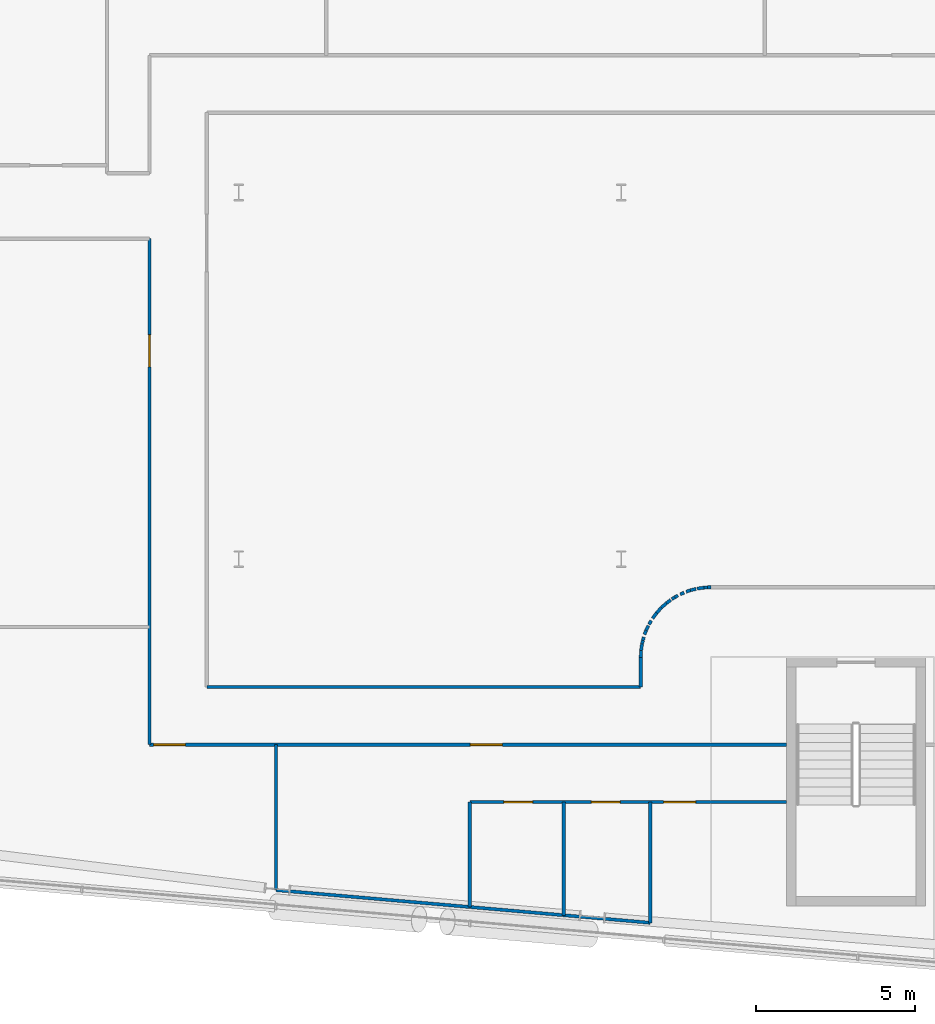
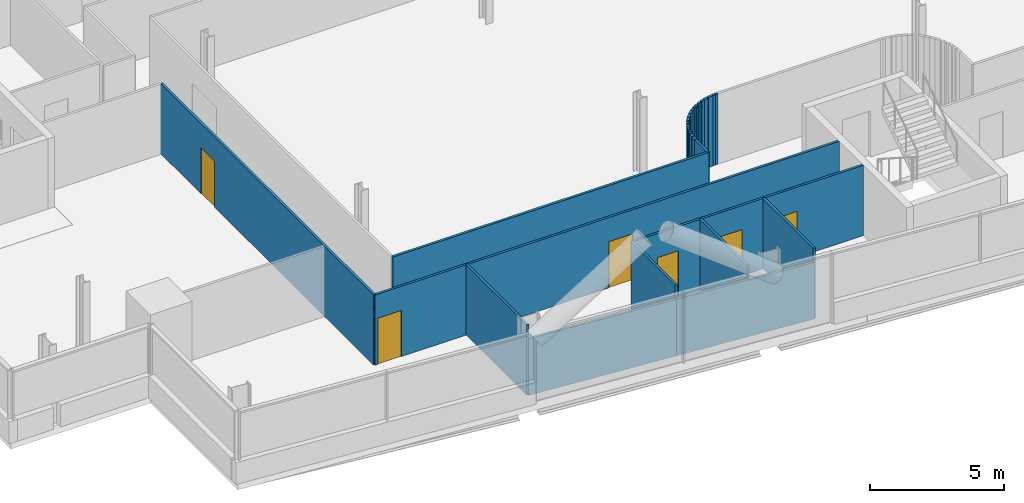
# One storey, part 14 of 30: 30 walls, 6 doors, 6 openings.
"""IFC4 building model written with IfcOpenShell, lengths in metres."""

from ifc_helpers import new_model, si_unit, direction, frame, frame_2d, origin, place, context, subcontext, project, spatial, rectangle, extrude, material, layer, layer_set, type_object, element, fill, save


model = new_model("IFC4")

# Units and contexts
model_context = context("Model", 3, precision=1e-05, world=origin(), true_north=direction((0.0, 1.0)))
body_context = subcontext(model_context, "Body", "Model", "MODEL_VIEW")
ifc_project = project(units=[si_unit("LENGTHUNIT", "METRE"), si_unit("AREAUNIT", "SQUARE_METRE"), si_unit("VOLUMEUNIT", "CUBIC_METRE"), si_unit("PLANEANGLEUNIT", "RADIAN"), si_unit("MASSUNIT", "GRAM", prefix="KILO")], contexts=[model_context])

# Site, building, storey
site_placement = place(None, origin())
site = spatial("IfcSite", under=ifc_project, at=site_placement, CompositionType="ELEMENT")
building_placement = place(site_placement, origin())
building = spatial("IfcBuilding", under=site, at=building_placement, Name="Wharfspan Tower", CompositionType="ELEMENT")
storey_placement = place(building_placement, frame((0.0, 0.0, 100.300049)))
storey = spatial("IfcBuildingStorey", under=building, at=storey_placement, Name="L22", CompositionType="ELEMENT", Elevation=100.300049)

# Wall, opening, door
ifc_material_1 = material(Name="Gypsum board on steel studs", Category="steel")
ifc_layer_1 = layer(ifc_material_1, 0.100098)
ifc_layer_set_1 = layer_set([ifc_layer_1], Name="Gypsum board on steel studs")
wall_type_1 = type_object("IfcWallType", Name="Compartment wall 100 EI 60", PredefinedType="PARTITIONING", material=ifc_layer_set_1)
wall_1_placement = place(storey_placement, frame((21.199951, 5.679932, 0.0), z_axis=(0.0, 0.0, 1.0), x_axis=(0.0, 1.0, 0.0)))
wall_1 = element("IfcWall", 1, at=wall_1_placement, inside=storey, type_object=wall_type_1, Name="Partition L22.w010", PredefinedType="PARTITIONING", context=body_context, shape_type="SweptSolid", body=[
    extrude(rectangle(XDim=15.870117, YDim=0.100098, at=frame_2d((7.935059, 0.0))), origin(), (0.0, 0.0, 1.0), 3.199951),
])
opening_1_placement = place(wall_1_placement, frame((11.850098, 0.0, 0.0)))
opening_1 = element("IfcOpeningElement", 2, at=opening_1_placement, cuts=wall_1, Name="Opening B2-11", PredefinedType="OPENING", context=body_context, shape_type="SweptSolid", body=[
    extrude(rectangle(XDim=1.0, YDim=2.100098, at=frame_2d((0.5, 1.050049))), frame((0.0, 0.060059, 0.0), z_axis=(0.0, -1.0, 0.0), x_axis=(1.0, 0.0, 0.0)), (0.0, 0.0, 1.0), 0.120117),
])
ifc_material_2 = material(Name="Fire-rated timber door leaf in steel frame", Category="steel")
door_type_1 = type_object("IfcDoorType", Name="Door 1000 FD30S Right", OperationType="SINGLE_SWING_RIGHT", PredefinedType="DOOR", material=ifc_material_2)
door_1_placement = place(opening_1_placement, origin())
door_1 = element("IfcDoor", 3, at=door_1_placement, inside=storey, type_object=door_type_1, Name="Door B2-11", OperationType="SINGLE_SWING_RIGHT", OverallHeight=2.100098, OverallWidth=1.0, PredefinedType="DOOR", context=body_context, shape_type="SweptSolid", body=[
    extrude(rectangle(XDim=1.0, YDim=2.100098, at=frame_2d((0.5, 1.050049))), frame((0.0, 0.024902, 0.0), z_axis=(0.0, -1.0, 0.0), x_axis=(1.0, 0.0, 0.0)), (0.0, 0.0, 1.0), 0.050049),
])
fill(opening_1, door_1)

# Wall, openings, doors
wall_2_placement = place(storey_placement, frame((21.199951, 5.679932, 0.0), z_axis=(0.0, 0.0, 1.0), x_axis=(1.0, 0.0, 0.0)))
wall_2 = element("IfcWall", 4, at=wall_2_placement, inside=storey, type_object=wall_type_1, Name="Partition L22.w011", PredefinedType="PARTITIONING", context=body_context, shape_type="SweptSolid", body=[
    extrude(rectangle(XDim=19.985352, YDim=0.100098, at=frame_2d((9.992676, 0.0))), origin(), (0.0, 0.0, 1.0), 3.199951),
])
opening_2_placement = place(wall_2_placement, frame((0.129883, 0.0, 0.0)))
opening_2 = element("IfcOpeningElement", 5, at=opening_2_placement, cuts=wall_2, Name="Opening B2-04", PredefinedType="OPENING", context=body_context, shape_type="SweptSolid", body=[
    extrude(rectangle(XDim=1.0, YDim=2.100098, at=frame_2d((0.5, 1.050049))), frame((0.0, 0.060059, 0.0), z_axis=(0.0, -1.0, 0.0), x_axis=(1.0, 0.0, 0.0)), (0.0, 0.0, 1.0), 0.120117),
])
opening_3_placement = place(wall_2_placement, frame((10.070068, 0.0, 0.0)))
opening_3 = element("IfcOpeningElement", 6, at=opening_3_placement, cuts=wall_2, Name="Opening B2-05", PredefinedType="OPENING", context=body_context, shape_type="SweptSolid", body=[
    extrude(rectangle(XDim=1.0, YDim=2.100098, at=frame_2d((0.5, 1.050049))), frame((0.0, 0.060059, 0.0), z_axis=(0.0, -1.0, 0.0), x_axis=(1.0, 0.0, 0.0)), (0.0, 0.0, 1.0), 0.120117),
])
door_type_2 = type_object("IfcDoorType", Name="Door 1000 FD30S Left", OperationType="SINGLE_SWING_LEFT", PredefinedType="DOOR", material=ifc_material_2)
door_2_placement = place(opening_2_placement, origin())
door_2 = element("IfcDoor", 7, at=door_2_placement, inside=storey, type_object=door_type_2, Name="Door B2-04", OperationType="SINGLE_SWING_LEFT", OverallHeight=2.100098, OverallWidth=1.0, PredefinedType="DOOR", context=body_context, shape_type="SweptSolid", body=[
    extrude(rectangle(XDim=1.0, YDim=2.100098, at=frame_2d((0.5, 1.050049))), frame((0.0, 0.024902, 0.0), z_axis=(0.0, -1.0, 0.0), x_axis=(1.0, 0.0, 0.0)), (0.0, 0.0, 1.0), 0.050049),
])
fill(opening_2, door_2)
door_3_placement = place(opening_3_placement, origin())
door_3 = element("IfcDoor", 8, at=door_3_placement, inside=storey, type_object=door_type_1, Name="Door B2-05", OperationType="SINGLE_SWING_RIGHT", OverallHeight=2.100098, OverallWidth=1.0, PredefinedType="DOOR", context=body_context, shape_type="SweptSolid", body=[
    extrude(rectangle(XDim=1.0, YDim=2.100098, at=frame_2d((0.5, 1.050049))), frame((0.0, 0.024902, 0.0), z_axis=(0.0, -1.0, 0.0), x_axis=(1.0, 0.0, 0.0)), (0.0, 0.0, 1.0), 0.050049),
])
fill(opening_3, door_3)

# Walls
wall_3_placement = place(storey_placement, frame((23.0, 7.485107, 0.0), z_axis=(0.0, 0.0, 1.0), x_axis=(1.0, 0.0, 0.0)))
element("IfcWall", 9, at=wall_3_placement, inside=storey, type_object=wall_type_1, Name="Partition L22.w015", PredefinedType="PARTITIONING", context=body_context, shape_type="SweptSolid", body=[
    extrude(rectangle(XDim=13.610107, YDim=0.100098, at=frame_2d((6.805176, 0.0))), origin(), (0.0, 0.0, 1.0), 3.199951),
])
wall_4_placement = place(storey_placement, frame((25.169922, 1.120117, 0.0), z_axis=(0.0, 0.0, 1.0), x_axis=(0.0, 1.0, 0.0)))
element("IfcWall", 10, at=wall_4_placement, inside=storey, type_object=wall_type_1, Name="Partition L22.w017", PredefinedType="PARTITIONING", context=body_context, shape_type="SweptSolid", body=[
    extrude(rectangle(XDim=4.559814, YDim=0.100098, at=frame_2d((2.279785, 0.0))), origin(), (0.0, 0.0, 1.0), 3.199951),
])
wall_5_placement = place(storey_placement, frame((36.610107, 7.485107, 0.0), z_axis=(0.0, 0.0, 1.0), x_axis=(0.0, 1.0, 0.0)))
element("IfcWall", 11, at=wall_5_placement, inside=storey, type_object=wall_type_1, Name="Partition L22.w024", PredefinedType="PARTITIONING", context=body_context, shape_type="SweptSolid", body=[
    extrude(rectangle(XDim=0.929932, YDim=0.100098, at=frame_2d((0.464844, 0.0))), origin(), (0.0, 0.0, 1.0), 3.199951),
])
wall_6_placement = place(storey_placement, frame((36.610107, 8.415039, 0.0), z_axis=(0.0, 0.0, 1.0), x_axis=(0.045458, 0.998967, 0.0)))
element("IfcWall", 12, at=wall_6_placement, inside=storey, type_object=wall_type_1, Name="Partition L22.w025", PredefinedType="PARTITIONING", context=body_context, shape_type="SweptSolid", body=[
    extrude(rectangle(XDim=0.220215, YDim=0.100098, at=frame_2d((0.110107, 0.0))), origin(), (0.0, 0.0, 1.0), 3.199951),
])
wall_7_placement = place(storey_placement, frame((36.620117, 8.63501, 0.0), z_axis=(0.0, 0.0, 1.0), x_axis=(0.140454, 0.990086, 0.0)))
element("IfcWall", 13, at=wall_7_placement, inside=storey, type_object=wall_type_1, Name="Partition L22.w026", PredefinedType="PARTITIONING", context=body_context, shape_type="SweptSolid", body=[
    extrude(rectangle(XDim=0.212158, YDim=0.100098, at=frame_2d((0.105957, 0.0))), origin(), (0.0, 0.0, 1.0), 3.199951),
])
wall_8_placement = place(storey_placement, frame((36.649902, 8.844971, 0.0), z_axis=(0.0, 0.0, 1.0), x_axis=(0.275016, 0.961438, 0.0)))
element("IfcWall", 14, at=wall_8_placement, inside=storey, type_object=wall_type_1, Name="Partition L22.w027", PredefinedType="PARTITIONING", context=body_context, shape_type="SweptSolid", body=[
    extrude(rectangle(XDim=0.109131, YDim=0.100098, at=frame_2d((0.054688, 0.0))), origin(), (0.0, 0.0, 1.0), 3.199951),
])
wall_9_placement = place(storey_placement, frame((36.679932, 8.949951, 0.0), z_axis=(0.0, 0.0, 1.0), x_axis=(0.232946, 0.972493, 0.0)))
element("IfcWall", 15, at=wall_9_placement, inside=storey, type_object=wall_type_1, Name="Partition L22.w028", PredefinedType="PARTITIONING", context=body_context, shape_type="SweptSolid", body=[
    extrude(rectangle(XDim=0.10791, YDim=0.100098, at=frame_2d((0.053955, 0.0))), origin(), (0.0, 0.0, 1.0), 3.199951),
])
wall_10_placement = place(storey_placement, frame((36.72998, 9.13501, 0.0), z_axis=(0.0, 0.0, 1.0), x_axis=(0.3382, 0.941078, 0.0)))
element("IfcWall", 16, at=wall_10_placement, inside=storey, type_object=wall_type_1, Name="Partition L22.w029", PredefinedType="PARTITIONING", context=body_context, shape_type="SweptSolid", body=[
    extrude(rectangle(XDim=0.132812, YDim=0.100098, at=frame_2d((0.066406, 0.0))), origin(), (0.0, 0.0, 1.0), 3.199951),
])
wall_11_placement = place(storey_placement, frame((36.774902, 9.26001, 0.0), z_axis=(0.0, 0.0, 1.0), x_axis=(0.44838, 0.893848, 0.0)))
element("IfcWall", 17, at=wall_11_placement, inside=storey, type_object=wall_type_1, Name="Partition L22.w030", PredefinedType="PARTITIONING", context=body_context, shape_type="SweptSolid", body=[
    extrude(rectangle(XDim=0.167725, YDim=0.100098, at=frame_2d((0.083984, 0.0))), origin(), (0.0, 0.0, 1.0), 3.199951),
])
wall_12_placement = place(storey_placement, frame((36.870117, 9.455078, 0.0), z_axis=(0.0, 0.0, 1.0), x_axis=(0.519025, 0.854758, 0.0)))
element("IfcWall", 18, at=wall_12_placement, inside=storey, type_object=wall_type_1, Name="Partition L22.w031", PredefinedType="PARTITIONING", context=body_context, shape_type="SweptSolid", body=[
    extrude(rectangle(XDim=0.134521, YDim=0.100098, at=frame_2d((0.067383, 0.0))), origin(), (0.0, 0.0, 1.0), 3.199951),
])
wall_13_placement = place(storey_placement, frame((36.97998, 9.639893, 0.0), z_axis=(0.0, 0.0, 1.0), x_axis=(0.596595, 0.802549, 0.0)))
element("IfcWall", 19, at=wall_13_placement, inside=storey, type_object=wall_type_1, Name="Partition L22.w034", PredefinedType="PARTITIONING", context=body_context, shape_type="SweptSolid", body=[
    extrude(rectangle(XDim=0.218018, YDim=0.100098, at=frame_2d((0.108887, 0.0))), origin(), (0.0, 0.0, 1.0), 3.199951),
])
wall_14_placement = place(storey_placement, frame((37.110107, 9.814941, 0.0), z_axis=(0.0, 0.0, 1.0), x_axis=(0.670589, 0.741832, 0.0)))
element("IfcWall", 20, at=wall_14_placement, inside=storey, type_object=wall_type_1, Name="Partition L22.w035", PredefinedType="PARTITIONING", context=body_context, shape_type="SweptSolid", body=[
    extrude(rectangle(XDim=0.21582, YDim=0.100098, at=frame_2d((0.10791, 0.0))), origin(), (0.0, 0.0, 1.0), 3.199951),
])
wall_15_placement = place(storey_placement, frame((37.254883, 9.975098, 0.0), z_axis=(0.0, 0.0, 1.0), x_axis=(0.741269, 0.67121, 0.0)))
element("IfcWall", 21, at=wall_15_placement, inside=storey, type_object=wall_type_1, Name="Partition L22.w036", PredefinedType="PARTITIONING", context=body_context, shape_type="SweptSolid", body=[
    extrude(rectangle(XDim=0.216064, YDim=0.100098, at=frame_2d((0.10791, 0.0))), origin(), (0.0, 0.0, 1.0), 3.199951),
])
wall_16_placement = place(storey_placement, frame((37.415039, 10.120117, 0.0), z_axis=(0.0, 0.0, 1.0), x_axis=(0.803993, 0.594635, 0.0)))
element("IfcWall", 22, at=wall_16_placement, inside=storey, type_object=wall_type_1, Name="Partition L22.w037", PredefinedType="PARTITIONING", context=body_context, shape_type="SweptSolid", body=[
    extrude(rectangle(XDim=0.167969, YDim=0.100098, at=frame_2d((0.083984, 0.0))), origin(), (0.0, 0.0, 1.0), 3.199951),
])
wall_17_placement = place(storey_placement, frame((37.584961, 10.245117, 0.0), z_axis=(0.0, 0.0, 1.0), x_axis=(0.846156, 0.532926, 0.0)))
element("IfcWall", 23, at=wall_17_placement, inside=storey, type_object=wall_type_1, Name="Partition L22.w038", PredefinedType="PARTITIONING", context=body_context, shape_type="SweptSolid", body=[
    extrude(rectangle(XDim=0.112305, YDim=0.100098, at=frame_2d((0.056152, 0.0))), origin(), (0.0, 0.0, 1.0), 3.199951),
])
wall_18_placement = place(storey_placement, frame((37.679932, 10.304932, 0.0), z_axis=(0.0, 0.0, 1.0), x_axis=(0.864661, 0.502348, 0.0)))
element("IfcWall", 24, at=wall_18_placement, inside=storey, type_object=wall_type_1, Name="Partition L22.w039", PredefinedType="PARTITIONING", context=body_context, shape_type="SweptSolid", body=[
    extrude(rectangle(XDim=0.109863, YDim=0.100098, at=frame_2d((0.054932, 0.0))), origin(), (0.0, 0.0, 1.0), 3.199951),
])
wall_19_placement = place(storey_placement, frame((37.850098, 10.39502, 0.0), z_axis=(0.0, 0.0, 1.0), x_axis=(0.909092, 0.41659, 0.0)))
element("IfcWall", 25, at=wall_19_placement, inside=storey, type_object=wall_type_1, Name="Partition L22.w040", PredefinedType="PARTITIONING", context=body_context, shape_type="SweptSolid", body=[
    extrude(rectangle(XDim=0.131836, YDim=0.100098, at=frame_2d((0.065918, 0.0))), origin(), (0.0, 0.0, 1.0), 3.199951),
])
wall_20_placement = place(storey_placement, frame((38.034912, 10.475098, 0.0), z_axis=(0.0, 0.0, 1.0), x_axis=(0.938197, 0.346098, 0.0)))
element("IfcWall", 26, at=wall_20_placement, inside=storey, type_object=wall_type_1, Name="Partition L22.w041", PredefinedType="PARTITIONING", context=body_context, shape_type="SweptSolid", body=[
    extrude(rectangle(XDim=0.143799, YDim=0.100098, at=frame_2d((0.071777, 0.0))), origin(), (0.0, 0.0, 1.0), 3.199951),
])
wall_21_placement = place(storey_placement, frame((38.169922, 10.524902, 0.0), z_axis=(0.0, 0.0, 1.0), x_axis=(0.974827, 0.222973, 0.0)))
element("IfcWall", 27, at=wall_21_placement, inside=storey, type_object=wall_type_1, Name="Partition L22.w042", PredefinedType="PARTITIONING", context=body_context, shape_type="SweptSolid", body=[
    extrude(rectangle(XDim=0.179688, YDim=0.100098, at=frame_2d((0.089844, 0.0))), origin(), (0.0, 0.0, 1.0), 3.199951),
])
wall_22_placement = place(storey_placement, frame((38.379883, 10.574951, 0.0), z_axis=(0.0, 0.0, 1.0), x_axis=(0.990394, 0.138273, 0.0)))
element("IfcWall", 28, at=wall_22_placement, inside=storey, type_object=wall_type_1, Name="Partition L22.w043", PredefinedType="PARTITIONING", context=body_context, shape_type="SweptSolid", body=[
    extrude(rectangle(XDim=0.217285, YDim=0.100098, at=frame_2d((0.108643, 0.0))), origin(), (0.0, 0.0, 1.0), 3.199951),
])
wall_23_placement = place(storey_placement, frame((38.594971, 10.60498, 0.0), z_axis=(0.0, 0.0, 1.0), x_axis=(0.996234, 0.086721, 0.0)))
element("IfcWall", 29, at=wall_23_placement, inside=storey, type_object=wall_type_1, Name="Partition L22.w044", PredefinedType="PARTITIONING", context=body_context, shape_type="SweptSolid", body=[
    extrude(rectangle(XDim=0.115479, YDim=0.100098, at=frame_2d((0.057617, 0.0))), origin(), (0.0, 0.0, 1.0), 3.199951),
])
wall_24_placement = place(storey_placement, frame((38.709961, 10.61499, 0.0), z_axis=(0.0, 0.0, 1.0), x_axis=(0.998687, 0.051152, 0.0)))
element("IfcWall", 30, at=wall_24_placement, inside=storey, type_object=wall_type_1, Name="Partition L22.w045", PredefinedType="PARTITIONING", context=body_context, shape_type="SweptSolid", body=[
    extrude(rectangle(XDim=0.100342, YDim=0.100098, at=frame_2d((0.050293, 0.0))), origin(), (0.0, 0.0, 1.0), 3.199951),
])
ifc_layer_2 = layer(ifc_material_1, 0.100098)
ifc_layer_set_2 = layer_set([ifc_layer_2], Name="Gypsum board on steel studs")
wall_type_2 = type_object("IfcWallType", Name="Partition 100", PredefinedType="PARTITIONING", material=ifc_layer_set_2)
wall_25_placement = place(storey_placement, frame((31.25, 0.590088, 0.0), z_axis=(0.0, 0.0, 1.0), x_axis=(-0.996218, 0.086845, 0.0)))
element("IfcWall", 31, at=wall_25_placement, inside=storey, type_object=wall_type_2, Name="Partition L22.w019", PredefinedType="PARTITIONING", context=body_context, shape_type="SweptSolid", body=[
    extrude(rectangle(XDim=6.103027, YDim=0.100098, at=frame_2d((3.051514, 0.0))), origin(), (0.0, 0.0, 1.0), 2.579834),
])
wall_26_placement = place(storey_placement, frame((31.25, 0.590088, 0.0), z_axis=(0.0, 0.0, 1.0), x_axis=(0.0, 1.0, 0.0)))
element("IfcWall", 32, at=wall_26_placement, inside=storey, type_object=wall_type_2, Name="Partition L22.w020", PredefinedType="PARTITIONING", context=body_context, shape_type="SweptSolid", body=[
    extrude(rectangle(XDim=3.289795, YDim=0.100098, at=frame_2d((1.64502, 0.0))), origin(), (0.0, 0.0, 1.0), 3.199951),
])

# Wall, openings, doors
wall_27_placement = place(storey_placement, frame((31.25, 3.879883, 0.0), z_axis=(0.0, 0.0, 1.0), x_axis=(1.0, 0.0, 0.0)))
wall_27 = element("IfcWall", 33, at=wall_27_placement, inside=storey, type_object=wall_type_2, Name="Partition L22.w021", PredefinedType="PARTITIONING", context=body_context, shape_type="SweptSolid", body=[
    extrude(rectangle(XDim=9.935303, YDim=0.100098, at=frame_2d((4.967773, 0.0))), origin(), (0.0, 0.0, 1.0), 3.199951),
])
opening_4_placement = place(wall_27_placement, frame((1.070801, 0.0, 0.0)))
opening_4 = element("IfcOpeningElement", 34, at=opening_4_placement, cuts=wall_27, Name="Opening B2-01", PredefinedType="OPENING", context=body_context, shape_type="SweptSolid", body=[
    extrude(rectangle(XDim=0.899902, YDim=2.100098, at=frame_2d((0.449951, 1.050049))), frame((0.0, 0.060059, 0.0), z_axis=(0.0, -1.0, 0.0), x_axis=(1.0, 0.0, 0.0)), (0.0, 0.0, 1.0), 0.120117),
])
opening_5_placement = place(wall_27_placement, frame((3.815674, 0.0, 0.0)))
opening_5 = element("IfcOpeningElement", 35, at=opening_5_placement, cuts=wall_27, Name="Opening B2-02", PredefinedType="OPENING", context=body_context, shape_type="SweptSolid", body=[
    extrude(rectangle(XDim=0.899902, YDim=2.100098, at=frame_2d((0.449951, 1.050049))), frame((0.0, 0.060059, 0.0), z_axis=(0.0, -1.0, 0.0), x_axis=(1.0, 0.0, 0.0)), (0.0, 0.0, 1.0), 0.120117),
])
opening_6_placement = place(wall_27_placement, frame((6.080811, 0.0, 0.0)))
opening_6 = element("IfcOpeningElement", 36, at=opening_6_placement, cuts=wall_27, Name="Opening B2-03", PredefinedType="OPENING", context=body_context, shape_type="SweptSolid", body=[
    extrude(rectangle(XDim=1.0, YDim=2.100098, at=frame_2d((0.5, 1.050049))), frame((0.0, 0.060059, 0.0), z_axis=(0.0, -1.0, 0.0), x_axis=(1.0, 0.0, 0.0)), (0.0, 0.0, 1.0), 0.120117),
])
ifc_material_3 = material(Name="Timber door leaf in steel frame", Category="steel")
door_type_3 = type_object("IfcDoorType", Name="Door 1000 NOT RATED Right", OperationType="SINGLE_SWING_RIGHT", PredefinedType="DOOR", material=ifc_material_3)
door_4_placement = place(opening_6_placement, origin())
door_4 = element("IfcDoor", 37, at=door_4_placement, inside=storey, type_object=door_type_3, Name="Door B2-03", OperationType="SINGLE_SWING_RIGHT", OverallHeight=2.100098, OverallWidth=1.0, PredefinedType="DOOR", context=body_context, shape_type="SweptSolid", body=[
    extrude(rectangle(XDim=1.0, YDim=2.100098, at=frame_2d((0.5, 1.050049))), frame((0.0, 0.024902, 0.0), z_axis=(0.0, -1.0, 0.0), x_axis=(1.0, 0.0, 0.0)), (0.0, 0.0, 1.0), 0.050049),
])
fill(opening_6, door_4)
door_type_4 = type_object("IfcDoorType", Name="Door 900 NOT RATED Left", OperationType="SINGLE_SWING_LEFT", PredefinedType="DOOR", material=ifc_material_3)
door_5_placement = place(opening_4_placement, origin())
door_5 = element("IfcDoor", 38, at=door_5_placement, inside=storey, type_object=door_type_4, Name="Door B2-01", OperationType="SINGLE_SWING_LEFT", OverallHeight=2.100098, OverallWidth=0.899902, PredefinedType="DOOR", context=body_context, shape_type="SweptSolid", body=[
    extrude(rectangle(XDim=0.899902, YDim=2.100098, at=frame_2d((0.449951, 1.050049))), frame((0.0, 0.024902, 0.0), z_axis=(0.0, -1.0, 0.0), x_axis=(1.0, 0.0, 0.0)), (0.0, 0.0, 1.0), 0.050049),
])
fill(opening_4, door_5)
door_6_placement = place(opening_5_placement, origin())
door_6 = element("IfcDoor", 39, at=door_6_placement, inside=storey, type_object=door_type_4, Name="Door B2-02", OperationType="SINGLE_SWING_LEFT", OverallHeight=2.100098, OverallWidth=0.899902, PredefinedType="DOOR", context=body_context, shape_type="SweptSolid", body=[
    extrude(rectangle(XDim=0.899902, YDim=2.100098, at=frame_2d((0.449951, 1.050049))), frame((0.0, 0.024902, 0.0), z_axis=(0.0, -1.0, 0.0), x_axis=(1.0, 0.0, 0.0)), (0.0, 0.0, 1.0), 0.050049),
])
fill(opening_5, door_6)

# Walls
wall_28_placement = place(storey_placement, frame((34.195068, 0.330078, 0.0), z_axis=(0.0, 0.0, 1.0), x_axis=(0.0, 1.0, 0.0)))
element("IfcWall", 40, at=wall_28_placement, inside=storey, type_object=wall_type_2, Name="Partition L22.w022", PredefinedType="PARTITIONING", context=body_context, shape_type="SweptSolid", body=[
    extrude(rectangle(XDim=3.549805, YDim=0.100098, at=frame_2d((1.774902, 0.0))), origin(), (0.0, 0.0, 1.0), 3.199951),
])
wall_29_placement = place(storey_placement, frame((36.909912, 0.094971, 0.0), z_axis=(0.0, 0.0, 1.0), x_axis=(0.0, 1.0, 0.0)))
element("IfcWall", 41, at=wall_29_placement, inside=storey, type_object=wall_type_2, Name="Partition L22.w032", PredefinedType="PARTITIONING", context=body_context, shape_type="SweptSolid", body=[
    extrude(rectangle(XDim=3.784912, YDim=0.100098, at=frame_2d((1.892578, 0.0))), origin(), (0.0, 0.0, 1.0), 3.199951),
])
wall_30_placement = place(storey_placement, frame((36.909912, 0.094971, 0.0), z_axis=(0.0, 0.0, 1.0), x_axis=(-0.996195, 0.087145, 0.0)))
element("IfcWall", 42, at=wall_30_placement, inside=storey, type_object=wall_type_2, Name="Partition L22.w033", PredefinedType="PARTITIONING", context=body_context, shape_type="SweptSolid", body=[
    extrude(rectangle(XDim=5.681641, YDim=0.100098, at=frame_2d((2.84082, 0.0))), origin(), (0.0, 0.0, 1.0), 2.579834),
])

save(model, "model.ifc")
